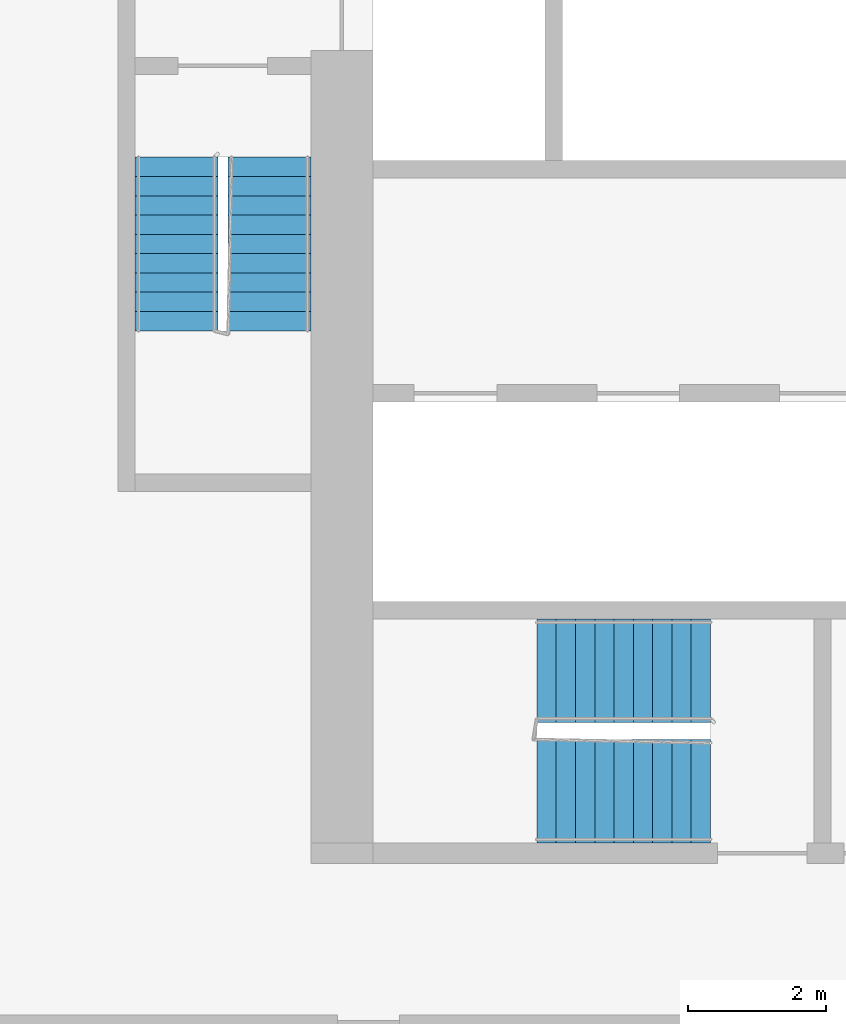
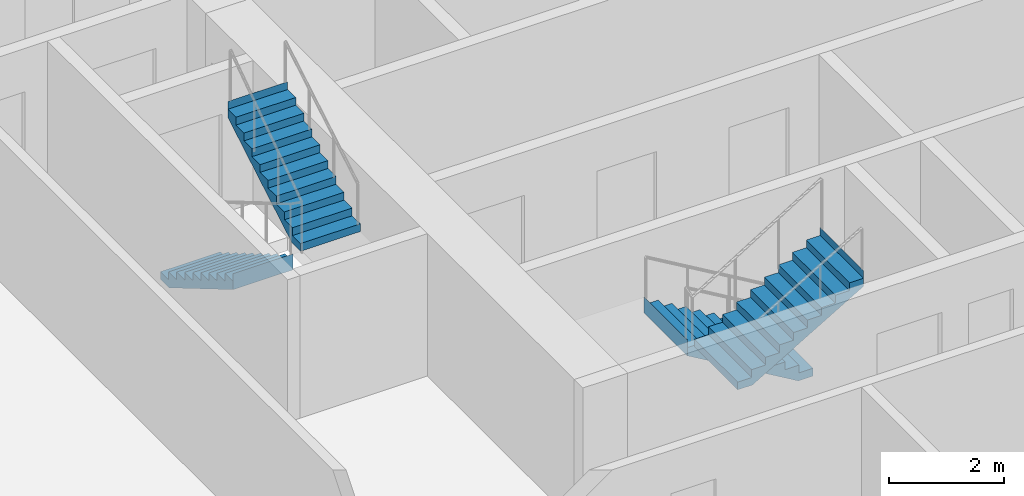
# One storey, part 9 of 13: 4 stair flights, 2 elements without a shape of their own.
"""IFC4 building model written with IfcOpenShell, lengths in metres."""

import ifcopenshell
import ifcopenshell.guid

model = None  # the IFC model being written
_history = None  # IfcOwnerHistory: only IFC2X3 demands one
_inside = {}  # id of a spatial element -> (the spatial element, [elements in it])
_under = {}  # id of a project, library or spatial element -> (it, [spatial elements below it])
_declared = {}  # id of a project -> (the project, [libraries it declares])
_typed = {}  # id of a type object -> (the type object, [elements of that type])
_made_of = {}  # id of a material, layer set ... -> (it, [elements and type objects made of it])


def new_model(schema):
    """Start an empty IFC model of exactly this schema.

    Asked for "IFC4X3", IfcOpenShell would pick the latest addendum, in which some entities
    have other attributes; the version numbers below select the first issue.
    IFC2X3 requires an IfcOwnerHistory on every rooted entity: one is made here for all.
    """
    global model, _history
    if schema == "IFC4X3":
        model = ifcopenshell.file(schema_version=(4, 3, 0, 0))
    else:
        model = ifcopenshell.file(schema=schema)
    _inside.clear()
    _under.clear()
    _declared.clear()
    _typed.clear()
    _made_of.clear()
    _history = None
    if model.schema == "IFC2X3":
        org = make("IfcOrganization", Name="unknown")
        user = make(
            "IfcPersonAndOrganization",
            ThePerson=make("IfcPerson", FamilyName="unknown"),
            TheOrganization=org,
        )
        app = make(
            "IfcApplication",
            ApplicationDeveloper=org,
            Version="unknown",
            ApplicationFullName="unknown",
            ApplicationIdentifier="unknown",
        )
        _history = make(
            "IfcOwnerHistory",
            OwningUser=user,
            OwningApplication=app,
            ChangeAction="ADDED",
            CreationDate=0,
        )
    return model


def make(cls, **values):
    """One entity of the class cls with the attributes given. An attribute that is None is left unset."""
    return model.create_entity(
        cls, **{name: value for name, value in values.items() if value is not None}
    )


def rooted(cls, **values):
    """An entity with a GlobalId (a new one), such as an element, a storey or a relation."""
    return make(cls, GlobalId=ifcopenshell.guid.new(), OwnerHistory=_history, **values)


def si_unit(unit_type, name, prefix=None):
    """IfcSIUnit, for example si_unit("LENGTHUNIT", "METRE", prefix="MILLI")."""
    return make("IfcSIUnit", UnitType=unit_type, Prefix=prefix, Name=name)


def assignment(units):
    """IfcUnitAssignment: the units of a project."""
    return None if units is None else make("IfcUnitAssignment", Units=units)


def point(xyz):
    """IfcCartesianPoint."""
    return None if xyz is None else make("IfcCartesianPoint", Coordinates=xyz)


def direction(xyz):
    """IfcDirection."""
    return None if xyz is None else make("IfcDirection", DirectionRatios=xyz)


def frame(location, z_axis=None, x_axis=None):
    """IfcAxis2Placement3D, a coordinate frame: its origin and axes. An axis left out is left unset."""
    return make(
        "IfcAxis2Placement3D",
        Location=point(location),
        Axis=direction(z_axis),
        RefDirection=direction(x_axis),
    )


def origin():
    """The frame at (0, 0, 0) with its axes left unset."""
    return frame((0.0, 0.0, 0.0))


def place(relative_to, where):
    """IfcLocalPlacement: puts the frame where relative to a parent placement (None: the world)."""
    return make(
        "IfcLocalPlacement", PlacementRelTo=relative_to, RelativePlacement=where
    )


def context(
    kind, dimensions, precision=None, world=None, true_north=None, identifier=None
):
    """IfcGeometricRepresentationContext, for example the 3D "Model" context."""
    return make(
        "IfcGeometricRepresentationContext",
        ContextIdentifier=identifier,
        ContextType=kind,
        CoordinateSpaceDimension=dimensions,
        Precision=precision,
        WorldCoordinateSystem=world,
        TrueNorth=true_north,
    )


def subcontext(parent, identifier, kind, view, scale=None):
    """IfcGeometricRepresentationSubContext, for example "Body" below "Model"."""
    return make(
        "IfcGeometricRepresentationSubContext",
        ContextIdentifier=identifier,
        ContextType=kind,
        ParentContext=parent,
        TargetScale=scale,
        TargetView=view,
    )


def project(units=None, contexts=None):
    """IfcProject with its units and contexts."""
    return rooted(
        "IfcProject",
        Name="project",
        RepresentationContexts=contexts,
        UnitsInContext=assignment(units),
    )


def spatial(cls, under=None, at=None, **own):
    """A site, building, storey or space (cls), placed at a placement, below another one or the project."""
    s = rooted(cls, ObjectPlacement=at, **own)
    if under is not None:
        _under.setdefault(under.id(), (under, []))[1].append(s)
    return s


def faces_of(points, faces, orient=None, outer=None):
    """IfcFace entities. A face is a list of loops; a loop is a list of indices into points, from 0.

    orient and outer hold one flag for each loop. By default every Orientation is true, the
    first loop of a face is its IfcFaceOuterBound and the others are IfcFaceBound.
    """
    made = []
    for i, loops in enumerate(faces):
        bounds = []
        for j, loop in enumerate(loops):
            is_outer = j == 0 if outer is None else outer[i][j]
            bounds.append(
                make(
                    "IfcFaceOuterBound" if is_outer else "IfcFaceBound",
                    Bound=make("IfcPolyLoop", Polygon=[points[k] for k in loop]),
                    Orientation=True if orient is None else orient[i][j],
                )
            )
        made.append(make("IfcFace", Bounds=bounds))
    return made


def faceted_brep(points, faces, orient=None, outer=None, voids=None):
    """IfcFacetedBrep: a solid bounded by flat faces; with voids (closed shells), ...WithVoids."""
    shared = [point(p) for p in points]
    hull = make("IfcClosedShell", CfsFaces=faces_of(shared, faces, orient, outer))
    if voids is None:
        return make("IfcFacetedBrep", Outer=hull)
    return make(
        "IfcFacetedBrepWithVoids",
        Outer=hull,
        Voids=[
            make(cls, CfsFaces=faces_of(shared, fs, o, b)) for cls, fs, o, b in voids
        ],
    )


def shape(context_of_items, identifier, shape_type, items):
    """IfcShapeRepresentation: the items that make up one representation, for example the "Body"."""
    return make(
        "IfcShapeRepresentation",
        ContextOfItems=context_of_items,
        RepresentationIdentifier=identifier,
        RepresentationType=shape_type,
        Items=items,
    )


def material(Name=None, Category=None):
    """IfcMaterial."""
    return make("IfcMaterial", Name=Name, Category=Category)


def made_of(thing, what):
    """Note that an element or type object is made of a material, layer set ...; save() writes the relation."""
    if what is not None:
        _made_of.setdefault(what.id(), (what, []))[1].append(thing)
    return thing


def type_object(cls, material=None, **own):
    """A type object (cls), such as IfcWallType, which elements share."""
    return made_of(rooted(cls, **own), material)


def element(
    cls,
    number,
    at=None,
    inside=None,
    cuts=None,
    type_object=None,
    material=None,
    context=None,
    identifier="Body",
    shape_type=None,
    held_by="IfcProductDefinitionShape",
    body=None,
    shapes=None,
    **own,
):
    """One element of the class cls, such as IfcWall. Its Tag is "e" and its number.

    at: its placement. inside: the storey or other place that contains it. cuts: it is an
    opening in that element (IfcRelVoidsElement). A single representation is given by context,
    identifier, shape_type and body (its items); several are given by shapes. held_by: the class
    of the entity that holds the representations. save() writes the other relations.
    """
    e = rooted(cls, Tag="e%d" % number, ObjectPlacement=at, **own)
    if body is not None:
        shapes = [shape(context, identifier, shape_type, body)]
    if shapes is not None:
        e.Representation = make(held_by, Representations=shapes)
    if inside is not None:
        _inside.setdefault(inside.id(), (inside, []))[1].append(e)
    if cuts is not None:
        rooted(
            "IfcRelVoidsElement", RelatingBuildingElement=cuts, RelatedOpeningElement=e
        )
    if type_object is not None:
        _typed.setdefault(type_object.id(), (type_object, []))[1].append(e)
    return made_of(e, material)


def aggregate(whole, parts):
    """IfcRelAggregates: a whole, such as a stair, and the parts it consists of."""
    return rooted("IfcRelAggregates", RelatingObject=whole, RelatedObjects=parts)


def save(model, path):
    """Write the relations noted so far, then the file.

    IfcRelAggregates (storeys below a building ...), IfcRelContainedInSpatialStructure (elements
    in a storey), IfcRelDefinesByType, IfcRelAssociatesMaterial and IfcRelDeclares: one each for
    every whole, place, type object, material and project.
    """
    for whole, parts in _under.values():
        aggregate(whole, parts)
    for where, things in _inside.values():
        rooted(
            "IfcRelContainedInSpatialStructure",
            RelatedElements=things,
            RelatingStructure=where,
        )
    for kind, things in _typed.values():
        rooted("IfcRelDefinesByType", RelatedObjects=things, RelatingType=kind)
    for what, things in _made_of.values():
        rooted("IfcRelAssociatesMaterial", RelatedObjects=things, RelatingMaterial=what)
    for by, libraries in _declared.values():
        rooted("IfcRelDeclares", RelatingContext=by, RelatedDefinitions=libraries)
    model.write(path)


model = new_model("IFC4")

# Units and contexts
model_context = context("Model", 3, precision=1e-05, world=origin(), true_north=direction((0.0, 1.0)))
body_context = subcontext(model_context, "Body", "Model", "MODEL_VIEW")
ifc_project = project(units=[si_unit("LENGTHUNIT", "METRE"), si_unit("AREAUNIT", "SQUARE_METRE"), si_unit("VOLUMEUNIT", "CUBIC_METRE"), si_unit("PLANEANGLEUNIT", "RADIAN"), si_unit("MASSUNIT", "GRAM", prefix="KILO")], contexts=[model_context])

# Site, building, storey
site_placement = place(None, origin())
site = spatial("IfcSite", under=ifc_project, at=site_placement, CompositionType="ELEMENT")
building_placement = place(site_placement, origin())
building = spatial("IfcBuilding", under=site, at=building_placement, Name="Kajstack Hotel Tower", CompositionType="ELEMENT")
storey_placement = place(building_placement, frame((0.0, 0.0, 89.699951171875)))
storey = spatial("IfcBuildingStorey", under=building, at=storey_placement, Name="L18", CompositionType="ELEMENT", Elevation=89.699951171875)

# Stair, stair flights
ifc_material = material(Name="Concrete C40/50", Category="concrete")
stair_type_1 = type_object("IfcStairType", Name="Exit stair 1200", PredefinedType="HALF_TURN_STAIR", material=ifc_material)
stair_1_placement = place(storey_placement, origin())
stair_1 = element("IfcStair", 1, at=stair_1_placement, inside=storey, type_object=stair_type_1, Name="L18 stair W1", PredefinedType="HALF_TURN_STAIR")
stair_flight_type_1 = type_object("IfcStairFlightType", Name="Exit stair flight 1200", PredefinedType="STRAIGHT", material=ifc_material)
stair_flight_1_placement = place(storey_placement, frame((-33.449951171875, -5.25, 0.0), z_axis=(0.0, 0.0, 1.0), x_axis=(0.0, -1.0, 0.0)))
stair_flight_1 = element("IfcStairFlight", 2, at=stair_flight_1_placement, type_object=stair_flight_type_1, Name="W1 flight 1", NumberOfRisers=10, NumberOfTreads=9, PredefinedType="STRAIGHT", RiserHeight=0.165, TreadLength=0.28, context=body_context, shape_type="Brep", body=[
    faceted_brep([(0.295654296875, -0.60009765625, 0.0), (2.5205078125, -0.60009765625, 1.31103515625), (2.5205078125, -0.60009765625, 1.64990234375), (2.52001953125, -0.60009765625, 1.64990234375), (2.52001953125, -0.60009765625, 1.485107421875), (2.239990234375, -0.60009765625, 1.485107421875), (2.239990234375, -0.60009765625, 1.320068359375), (1.9599609375, -0.60009765625, 1.320068359375), (1.9599609375, -0.60009765625, 1.155029296875), (1.679931640625, -0.60009765625, 1.155029296875), (1.679931640625, -0.60009765625, 0.989990234375), (1.39990234375, -0.60009765625, 0.989990234375), (1.39990234375, -0.60009765625, 0.824951171875), (1.1201171875, -0.60009765625, 0.824951171875), (1.1201171875, -0.60009765625, 0.659912109375), (0.840087890625, -0.60009765625, 0.659912109375), (0.840087890625, -0.60009765625, 0.4951171875), (0.56005859375, -0.60009765625, 0.4951171875), (0.56005859375, -0.60009765625, 0.330078125), (0.280029296875, -0.60009765625, 0.330078125), (0.280029296875, -0.60009765625, 0.1650390625), (-0.00048828125, -0.60009765625, 0.1650390625), (-0.00048828125, -0.60009765625, 0.0), (-0.00048828125, 0.60009765625, 0.0), (-0.00048828125, 0.60009765625, 0.1650390625), (0.280029296875, 0.60009765625, 0.1650390625), (0.280029296875, 0.60009765625, 0.330078125), (0.56005859375, 0.60009765625, 0.330078125), (0.56005859375, 0.60009765625, 0.4951171875), (0.840087890625, 0.60009765625, 0.4951171875), (0.840087890625, 0.60009765625, 0.659912109375), (1.1201171875, 0.60009765625, 0.659912109375), (1.1201171875, 0.60009765625, 0.824951171875), (1.39990234375, 0.60009765625, 0.824951171875), (1.39990234375, 0.60009765625, 0.989990234375), (1.679931640625, 0.60009765625, 0.989990234375), (1.679931640625, 0.60009765625, 1.155029296875), (1.9599609375, 0.60009765625, 1.155029296875), (1.9599609375, 0.60009765625, 1.320068359375), (2.239990234375, 0.60009765625, 1.320068359375), (2.239990234375, 0.60009765625, 1.485107421875), (2.52001953125, 0.60009765625, 1.485107421875), (2.52001953125, 0.60009765625, 1.64990234375), (2.5205078125, 0.60009765625, 1.64990234375), (2.5205078125, 0.60009765625, 1.31103515625), (0.295654296875, 0.60009765625, 0.0), (-0.00048828125, -0.300048828125, 0.1650390625), (-0.00048828125, 0.0, 0.1650390625), (-0.00048828125, 0.300048828125, 0.1650390625), (-0.00048828125, 0.300048828125, 0.0), (-0.00048828125, 0.0, 0.0), (-0.00048828125, -0.300048828125, 0.0), (0.280029296875, -0.300048828125, 0.1650390625), (0.280029296875, 0.0, 0.1650390625), (0.280029296875, 0.300048828125, 0.1650390625), (0.280029296875, -0.300048828125, 0.330078125), (0.280029296875, 0.0, 0.330078125), (0.280029296875, 0.300048828125, 0.330078125), (0.56005859375, -0.300048828125, 0.330078125), (0.56005859375, 0.0, 0.330078125), (0.56005859375, 0.300048828125, 0.330078125), (0.56005859375, -0.300048828125, 0.4951171875), (0.56005859375, 0.0, 0.4951171875), (0.56005859375, 0.300048828125, 0.4951171875), (0.840087890625, -0.300048828125, 0.4951171875), (0.840087890625, 0.0, 0.4951171875), (0.840087890625, 0.300048828125, 0.4951171875), (0.840087890625, -0.300048828125, 0.659912109375), (0.840087890625, 0.0, 0.659912109375), (0.840087890625, 0.300048828125, 0.659912109375), (1.1201171875, -0.300048828125, 0.659912109375), (1.1201171875, 0.0, 0.659912109375), (1.1201171875, 0.300048828125, 0.659912109375), (1.1201171875, -0.300048828125, 0.824951171875), (1.1201171875, 0.0, 0.824951171875), (1.1201171875, 0.300048828125, 0.824951171875), (1.39990234375, -0.300048828125, 0.824951171875), (1.39990234375, 0.0, 0.824951171875), (1.39990234375, 0.300048828125, 0.824951171875), (1.39990234375, -0.300048828125, 0.989990234375), (1.39990234375, 0.0, 0.989990234375), (1.39990234375, 0.300048828125, 0.989990234375), (1.679931640625, -0.300048828125, 0.989990234375), (1.679931640625, 0.0, 0.989990234375), (1.679931640625, 0.300048828125, 0.989990234375), (1.679931640625, -0.300048828125, 1.155029296875), (1.679931640625, 0.0, 1.155029296875), (1.679931640625, 0.300048828125, 1.155029296875), (1.9599609375, -0.300048828125, 1.155029296875), (1.9599609375, 0.0, 1.155029296875), (1.9599609375, 0.300048828125, 1.155029296875), (1.9599609375, -0.300048828125, 1.320068359375), (1.9599609375, 0.0, 1.320068359375), (1.9599609375, 0.300048828125, 1.320068359375), (2.239990234375, -0.300048828125, 1.320068359375), (2.239990234375, 0.0, 1.320068359375), (2.239990234375, 0.300048828125, 1.320068359375), (2.239990234375, -0.300048828125, 1.485107421875), (2.239990234375, 0.0, 1.485107421875), (2.239990234375, 0.300048828125, 1.485107421875), (2.52001953125, -0.300048828125, 1.485107421875), (2.52001953125, 0.0, 1.485107421875), (2.52001953125, 0.300048828125, 1.485107421875), (2.52001953125, -0.300048828125, 1.64990234375), (2.52001953125, 0.0, 1.64990234375), (2.52001953125, 0.300048828125, 1.64990234375), (2.5205078125, -0.300048828125, 1.64990234375), (2.5205078125, 0.0, 1.64990234375), (2.5205078125, 0.300048828125, 1.64990234375), (2.5205078125, -0.300048828125, 1.31103515625), (2.5205078125, 0.0, 1.31103515625), (2.5205078125, 0.300048828125, 1.31103515625), (0.295654296875, -0.300048828125, 0.0), (0.295654296875, 0.0, 0.0), (0.295654296875, 0.300048828125, 0.0)], [[[0, 1, 2, 3, 4, 5, 6, 7, 8, 9, 10, 11, 12, 13, 14, 15, 16, 17, 18, 19, 20, 21, 22]], [[23, 24, 25, 26, 27, 28, 29, 30, 31, 32, 33, 34, 35, 36, 37, 38, 39, 40, 41, 42, 43, 44, 45]], [[21, 46, 47, 48, 24, 23, 49, 50, 51, 22]], [[20, 52, 53, 54, 25, 24, 48, 47, 46, 21]], [[19, 55, 56, 57, 26, 25, 54, 53, 52, 20]], [[18, 58, 59, 60, 27, 26, 57, 56, 55, 19]], [[17, 61, 62, 63, 28, 27, 60, 59, 58, 18]], [[16, 64, 65, 66, 29, 28, 63, 62, 61, 17]], [[15, 67, 68, 69, 30, 29, 66, 65, 64, 16]], [[14, 70, 71, 72, 31, 30, 69, 68, 67, 15]], [[13, 73, 74, 75, 32, 31, 72, 71, 70, 14]], [[12, 76, 77, 78, 33, 32, 75, 74, 73, 13]], [[11, 79, 80, 81, 34, 33, 78, 77, 76, 12]], [[10, 82, 83, 84, 35, 34, 81, 80, 79, 11]], [[9, 85, 86, 87, 36, 35, 84, 83, 82, 10]], [[8, 88, 89, 90, 37, 36, 87, 86, 85, 9]], [[7, 91, 92, 93, 38, 37, 90, 89, 88, 8]], [[6, 94, 95, 96, 39, 38, 93, 92, 91, 7]], [[5, 97, 98, 99, 40, 39, 96, 95, 94, 6]], [[4, 100, 101, 102, 41, 40, 99, 98, 97, 5]], [[3, 103, 104, 105, 42, 41, 102, 101, 100, 4]], [[2, 106, 107, 108, 43, 42, 105, 104, 103, 3]], [[1, 109, 110, 111, 44, 43, 108, 107, 106, 2]], [[0, 112, 113, 114, 45, 44, 111, 110, 109, 1]], [[22, 51, 50, 49, 23, 45, 114, 113, 112, 0]]]),
])
stair_flight_2_placement = place(storey_placement, frame((-32.10009765625, -7.77001953125, 1.650146484375), z_axis=(0.0, 0.0, 1.0), x_axis=(0.0, 1.0, 0.0)))
stair_flight_2 = element("IfcStairFlight", 3, at=stair_flight_2_placement, type_object=stair_flight_type_1, Name="W1 flight 2", NumberOfRisers=10, NumberOfTreads=9, PredefinedType="STRAIGHT", RiserHeight=0.165, TreadLength=0.28, context=body_context, shape_type="Brep", body=[
    faceted_brep([(0.295654296875, -0.60009765625, 0.0), (2.5205078125, -0.60009765625, 1.31103515625), (2.5205078125, -0.60009765625, 1.64990234375), (2.52001953125, -0.60009765625, 1.64990234375), (2.52001953125, -0.60009765625, 1.485107421875), (2.239990234375, -0.60009765625, 1.485107421875), (2.239990234375, -0.60009765625, 1.320068359375), (1.9599609375, -0.60009765625, 1.320068359375), (1.9599609375, -0.60009765625, 1.155029296875), (1.679931640625, -0.60009765625, 1.155029296875), (1.679931640625, -0.60009765625, 0.989990234375), (1.39990234375, -0.60009765625, 0.989990234375), (1.39990234375, -0.60009765625, 0.824951171875), (1.1201171875, -0.60009765625, 0.824951171875), (1.1201171875, -0.60009765625, 0.659912109375), (0.840087890625, -0.60009765625, 0.659912109375), (0.840087890625, -0.60009765625, 0.4951171875), (0.56005859375, -0.60009765625, 0.4951171875), (0.56005859375, -0.60009765625, 0.330078125), (0.280029296875, -0.60009765625, 0.330078125), (0.280029296875, -0.60009765625, 0.1650390625), (-0.00048828125, -0.60009765625, 0.1650390625), (-0.00048828125, -0.60009765625, 0.0), (-0.00048828125, 0.60009765625, 0.0), (-0.00048828125, 0.60009765625, 0.1650390625), (0.280029296875, 0.60009765625, 0.1650390625), (0.280029296875, 0.60009765625, 0.330078125), (0.56005859375, 0.60009765625, 0.330078125), (0.56005859375, 0.60009765625, 0.4951171875), (0.840087890625, 0.60009765625, 0.4951171875), (0.840087890625, 0.60009765625, 0.659912109375), (1.1201171875, 0.60009765625, 0.659912109375), (1.1201171875, 0.60009765625, 0.824951171875), (1.39990234375, 0.60009765625, 0.824951171875), (1.39990234375, 0.60009765625, 0.989990234375), (1.679931640625, 0.60009765625, 0.989990234375), (1.679931640625, 0.60009765625, 1.155029296875), (1.9599609375, 0.60009765625, 1.155029296875), (1.9599609375, 0.60009765625, 1.320068359375), (2.239990234375, 0.60009765625, 1.320068359375), (2.239990234375, 0.60009765625, 1.485107421875), (2.52001953125, 0.60009765625, 1.485107421875), (2.52001953125, 0.60009765625, 1.64990234375), (2.5205078125, 0.60009765625, 1.64990234375), (2.5205078125, 0.60009765625, 1.31103515625), (0.295654296875, 0.60009765625, 0.0), (-0.00048828125, -0.300048828125, 0.1650390625), (-0.00048828125, 0.0, 0.1650390625), (-0.00048828125, 0.300048828125, 0.1650390625), (-0.00048828125, 0.300048828125, 0.0), (-0.00048828125, 0.0, 0.0), (-0.00048828125, -0.300048828125, 0.0), (0.280029296875, -0.300048828125, 0.1650390625), (0.280029296875, 0.0, 0.1650390625), (0.280029296875, 0.300048828125, 0.1650390625), (0.280029296875, -0.300048828125, 0.330078125), (0.280029296875, 0.0, 0.330078125), (0.280029296875, 0.300048828125, 0.330078125), (0.56005859375, -0.300048828125, 0.330078125), (0.56005859375, 0.0, 0.330078125), (0.56005859375, 0.300048828125, 0.330078125), (0.56005859375, -0.300048828125, 0.4951171875), (0.56005859375, 0.0, 0.4951171875), (0.56005859375, 0.300048828125, 0.4951171875), (0.840087890625, -0.300048828125, 0.4951171875), (0.840087890625, 0.0, 0.4951171875), (0.840087890625, 0.300048828125, 0.4951171875), (0.840087890625, -0.300048828125, 0.659912109375), (0.840087890625, 0.0, 0.659912109375), (0.840087890625, 0.300048828125, 0.659912109375), (1.1201171875, -0.300048828125, 0.659912109375), (1.1201171875, 0.0, 0.659912109375), (1.1201171875, 0.300048828125, 0.659912109375), (1.1201171875, -0.300048828125, 0.824951171875), (1.1201171875, 0.0, 0.824951171875), (1.1201171875, 0.300048828125, 0.824951171875), (1.39990234375, -0.300048828125, 0.824951171875), (1.39990234375, 0.0, 0.824951171875), (1.39990234375, 0.300048828125, 0.824951171875), (1.39990234375, -0.300048828125, 0.989990234375), (1.39990234375, 0.0, 0.989990234375), (1.39990234375, 0.300048828125, 0.989990234375), (1.679931640625, -0.300048828125, 0.989990234375), (1.679931640625, 0.0, 0.989990234375), (1.679931640625, 0.300048828125, 0.989990234375), (1.679931640625, -0.300048828125, 1.155029296875), (1.679931640625, 0.0, 1.155029296875), (1.679931640625, 0.300048828125, 1.155029296875), (1.9599609375, -0.300048828125, 1.155029296875), (1.9599609375, 0.0, 1.155029296875), (1.9599609375, 0.300048828125, 1.155029296875), (1.9599609375, -0.300048828125, 1.320068359375), (1.9599609375, 0.0, 1.320068359375), (1.9599609375, 0.300048828125, 1.320068359375), (2.239990234375, -0.300048828125, 1.320068359375), (2.239990234375, 0.0, 1.320068359375), (2.239990234375, 0.300048828125, 1.320068359375), (2.239990234375, -0.300048828125, 1.485107421875), (2.239990234375, 0.0, 1.485107421875), (2.239990234375, 0.300048828125, 1.485107421875), (2.52001953125, -0.300048828125, 1.485107421875), (2.52001953125, 0.0, 1.485107421875), (2.52001953125, 0.300048828125, 1.485107421875), (2.52001953125, -0.300048828125, 1.64990234375), (2.52001953125, 0.0, 1.64990234375), (2.52001953125, 0.300048828125, 1.64990234375), (2.5205078125, -0.300048828125, 1.64990234375), (2.5205078125, 0.0, 1.64990234375), (2.5205078125, 0.300048828125, 1.64990234375), (2.5205078125, -0.300048828125, 1.31103515625), (2.5205078125, 0.0, 1.31103515625), (2.5205078125, 0.300048828125, 1.31103515625), (0.295654296875, -0.300048828125, 0.0), (0.295654296875, 0.0, 0.0), (0.295654296875, 0.300048828125, 0.0)], [[[0, 1, 2, 3, 4, 5, 6, 7, 8, 9, 10, 11, 12, 13, 14, 15, 16, 17, 18, 19, 20, 21, 22]], [[23, 24, 25, 26, 27, 28, 29, 30, 31, 32, 33, 34, 35, 36, 37, 38, 39, 40, 41, 42, 43, 44, 45]], [[21, 46, 47, 48, 24, 23, 49, 50, 51, 22]], [[20, 52, 53, 54, 25, 24, 48, 47, 46, 21]], [[19, 55, 56, 57, 26, 25, 54, 53, 52, 20]], [[18, 58, 59, 60, 27, 26, 57, 56, 55, 19]], [[17, 61, 62, 63, 28, 27, 60, 59, 58, 18]], [[16, 64, 65, 66, 29, 28, 63, 62, 61, 17]], [[15, 67, 68, 69, 30, 29, 66, 65, 64, 16]], [[14, 70, 71, 72, 31, 30, 69, 68, 67, 15]], [[13, 73, 74, 75, 32, 31, 72, 71, 70, 14]], [[12, 76, 77, 78, 33, 32, 75, 74, 73, 13]], [[11, 79, 80, 81, 34, 33, 78, 77, 76, 12]], [[10, 82, 83, 84, 35, 34, 81, 80, 79, 11]], [[9, 85, 86, 87, 36, 35, 84, 83, 82, 10]], [[8, 88, 89, 90, 37, 36, 87, 86, 85, 9]], [[7, 91, 92, 93, 38, 37, 90, 89, 88, 8]], [[6, 94, 95, 96, 39, 38, 93, 92, 91, 7]], [[5, 97, 98, 99, 40, 39, 96, 95, 94, 6]], [[4, 100, 101, 102, 41, 40, 99, 98, 97, 5]], [[3, 103, 104, 105, 42, 41, 102, 101, 100, 4]], [[2, 106, 107, 108, 43, 42, 105, 104, 103, 3]], [[1, 109, 110, 111, 44, 43, 108, 107, 106, 2]], [[0, 112, 113, 114, 45, 44, 111, 110, 109, 1]], [[22, 51, 50, 49, 23, 45, 114, 113, 112, 0]]]),
])
aggregate(stair_1, [stair_flight_1, stair_flight_2])

stair_type_2 = type_object("IfcStairType", Name="Exit stair 1500", PredefinedType="HALF_TURN_STAIR", material=ifc_material)
stair_2_placement = place(storey_placement, origin())
stair_2 = element("IfcStair", 4, at=stair_2_placement, inside=storey, type_object=stair_type_2, Name="L18 stair W3", PredefinedType="HALF_TURN_STAIR")
stair_flight_type_2 = type_object("IfcStairFlightType", Name="Exit stair flight 1500", PredefinedType="STRAIGHT", material=ifc_material)
stair_flight_3_placement = place(storey_placement, frame((-25.699951171875, -12.699951171875, 0.0), z_axis=(0.0, 0.0, 1.0), x_axis=(-1.0, 0.0, 0.0)))
stair_flight_3 = element("IfcStairFlight", 5, at=stair_flight_3_placement, type_object=stair_flight_type_2, Name="W3 flight 1", NumberOfRisers=10, NumberOfTreads=9, PredefinedType="STRAIGHT", RiserHeight=0.165, TreadLength=0.28, context=body_context, shape_type="Brep", body=[
    faceted_brep([(0.295654296875, -0.75, 0.0), (2.5205078125, -0.75, 1.31103515625), (2.5205078125, -0.75, 1.64990234375), (2.52001953125, -0.75, 1.64990234375), (2.52001953125, -0.75, 1.485107421875), (2.239990234375, -0.75, 1.485107421875), (2.239990234375, -0.75, 1.320068359375), (1.9599609375, -0.75, 1.320068359375), (1.9599609375, -0.75, 1.155029296875), (1.679931640625, -0.75, 1.155029296875), (1.679931640625, -0.75, 0.989990234375), (1.39990234375, -0.75, 0.989990234375), (1.39990234375, -0.75, 0.824951171875), (1.1201171875, -0.75, 0.824951171875), (1.1201171875, -0.75, 0.659912109375), (0.840087890625, -0.75, 0.659912109375), (0.840087890625, -0.75, 0.4951171875), (0.56005859375, -0.75, 0.4951171875), (0.56005859375, -0.75, 0.330078125), (0.280029296875, -0.75, 0.330078125), (0.280029296875, -0.75, 0.1650390625), (-0.00048828125, -0.75, 0.1650390625), (-0.00048828125, -0.75, 0.0), (-0.00048828125, 0.75, 0.0), (-0.00048828125, 0.75, 0.1650390625), (0.280029296875, 0.75, 0.1650390625), (0.280029296875, 0.75, 0.330078125), (0.56005859375, 0.75, 0.330078125), (0.56005859375, 0.75, 0.4951171875), (0.840087890625, 0.75, 0.4951171875), (0.840087890625, 0.75, 0.659912109375), (1.1201171875, 0.75, 0.659912109375), (1.1201171875, 0.75, 0.824951171875), (1.39990234375, 0.75, 0.824951171875), (1.39990234375, 0.75, 0.989990234375), (1.679931640625, 0.75, 0.989990234375), (1.679931640625, 0.75, 1.155029296875), (1.9599609375, 0.75, 1.155029296875), (1.9599609375, 0.75, 1.320068359375), (2.239990234375, 0.75, 1.320068359375), (2.239990234375, 0.75, 1.485107421875), (2.52001953125, 0.75, 1.485107421875), (2.52001953125, 0.75, 1.64990234375), (2.5205078125, 0.75, 1.64990234375), (2.5205078125, 0.75, 1.31103515625), (0.295654296875, 0.75, 0.0), (-0.00048828125, -0.375, 0.1650390625), (-0.00048828125, 0.0, 0.1650390625), (-0.00048828125, 0.375, 0.1650390625), (-0.00048828125, 0.375, 0.0), (-0.00048828125, 0.0, 0.0), (-0.00048828125, -0.375, 0.0), (0.280029296875, -0.375, 0.1650390625), (0.280029296875, 0.0, 0.1650390625), (0.280029296875, 0.375, 0.1650390625), (0.280029296875, -0.375, 0.330078125), (0.280029296875, 0.0, 0.330078125), (0.280029296875, 0.375, 0.330078125), (0.56005859375, -0.375, 0.330078125), (0.56005859375, 0.0, 0.330078125), (0.56005859375, 0.375, 0.330078125), (0.56005859375, -0.375, 0.4951171875), (0.56005859375, 0.0, 0.4951171875), (0.56005859375, 0.375, 0.4951171875), (0.840087890625, -0.375, 0.4951171875), (0.840087890625, 0.0, 0.4951171875), (0.840087890625, 0.375, 0.4951171875), (0.840087890625, -0.375, 0.659912109375), (0.840087890625, 0.0, 0.659912109375), (0.840087890625, 0.375, 0.659912109375), (1.1201171875, -0.375, 0.659912109375), (1.1201171875, 0.0, 0.659912109375), (1.1201171875, 0.375, 0.659912109375), (1.1201171875, -0.375, 0.824951171875), (1.1201171875, 0.0, 0.824951171875), (1.1201171875, 0.375, 0.824951171875), (1.39990234375, -0.375, 0.824951171875), (1.39990234375, 0.0, 0.824951171875), (1.39990234375, 0.375, 0.824951171875), (1.39990234375, -0.375, 0.989990234375), (1.39990234375, 0.0, 0.989990234375), (1.39990234375, 0.375, 0.989990234375), (1.679931640625, -0.375, 0.989990234375), (1.679931640625, 0.0, 0.989990234375), (1.679931640625, 0.375, 0.989990234375), (1.679931640625, -0.375, 1.155029296875), (1.679931640625, 0.0, 1.155029296875), (1.679931640625, 0.375, 1.155029296875), (1.9599609375, -0.375, 1.155029296875), (1.9599609375, 0.0, 1.155029296875), (1.9599609375, 0.375, 1.155029296875), (1.9599609375, -0.375, 1.320068359375), (1.9599609375, 0.0, 1.320068359375), (1.9599609375, 0.375, 1.320068359375), (2.239990234375, -0.375, 1.320068359375), (2.239990234375, 0.0, 1.320068359375), (2.239990234375, 0.375, 1.320068359375), (2.239990234375, -0.375, 1.485107421875), (2.239990234375, 0.0, 1.485107421875), (2.239990234375, 0.375, 1.485107421875), (2.52001953125, -0.375, 1.485107421875), (2.52001953125, 0.0, 1.485107421875), (2.52001953125, 0.375, 1.485107421875), (2.52001953125, -0.375, 1.64990234375), (2.52001953125, 0.0, 1.64990234375), (2.52001953125, 0.375, 1.64990234375), (2.5205078125, -0.375, 1.64990234375), (2.5205078125, 0.0, 1.64990234375), (2.5205078125, 0.375, 1.64990234375), (2.5205078125, -0.375, 1.31103515625), (2.5205078125, 0.0, 1.31103515625), (2.5205078125, 0.375, 1.31103515625), (0.295654296875, -0.375, 0.0), (0.295654296875, 0.0, 0.0), (0.295654296875, 0.375, 0.0)], [[[0, 1, 2, 3, 4, 5, 6, 7, 8, 9, 10, 11, 12, 13, 14, 15, 16, 17, 18, 19, 20, 21, 22]], [[23, 24, 25, 26, 27, 28, 29, 30, 31, 32, 33, 34, 35, 36, 37, 38, 39, 40, 41, 42, 43, 44, 45]], [[21, 46, 47, 48, 24, 23, 49, 50, 51, 22]], [[20, 52, 53, 54, 25, 24, 48, 47, 46, 21]], [[19, 55, 56, 57, 26, 25, 54, 53, 52, 20]], [[18, 58, 59, 60, 27, 26, 57, 56, 55, 19]], [[17, 61, 62, 63, 28, 27, 60, 59, 58, 18]], [[16, 64, 65, 66, 29, 28, 63, 62, 61, 17]], [[15, 67, 68, 69, 30, 29, 66, 65, 64, 16]], [[14, 70, 71, 72, 31, 30, 69, 68, 67, 15]], [[13, 73, 74, 75, 32, 31, 72, 71, 70, 14]], [[12, 76, 77, 78, 33, 32, 75, 74, 73, 13]], [[11, 79, 80, 81, 34, 33, 78, 77, 76, 12]], [[10, 82, 83, 84, 35, 34, 81, 80, 79, 11]], [[9, 85, 86, 87, 36, 35, 84, 83, 82, 10]], [[8, 88, 89, 90, 37, 36, 87, 86, 85, 9]], [[7, 91, 92, 93, 38, 37, 90, 89, 88, 8]], [[6, 94, 95, 96, 39, 38, 93, 92, 91, 7]], [[5, 97, 98, 99, 40, 39, 96, 95, 94, 6]], [[4, 100, 101, 102, 41, 40, 99, 98, 97, 5]], [[3, 103, 104, 105, 42, 41, 102, 101, 100, 4]], [[2, 106, 107, 108, 43, 42, 105, 104, 103, 3]], [[1, 109, 110, 111, 44, 43, 108, 107, 106, 2]], [[0, 112, 113, 114, 45, 44, 111, 110, 109, 1]], [[22, 51, 50, 49, 23, 45, 114, 113, 112, 0]]]),
])
stair_flight_4_placement = place(storey_placement, frame((-28.219970703125, -14.449951171875, 1.650146484375), z_axis=(0.0, 0.0, 1.0), x_axis=(1.0, 0.0, 0.0)))
stair_flight_4 = element("IfcStairFlight", 6, at=stair_flight_4_placement, type_object=stair_flight_type_2, Name="W3 flight 2", NumberOfRisers=10, NumberOfTreads=9, PredefinedType="STRAIGHT", RiserHeight=0.165, TreadLength=0.28, context=body_context, shape_type="Brep", body=[
    faceted_brep([(0.295654296875, -0.75, 0.0), (2.5205078125, -0.75, 1.31103515625), (2.5205078125, -0.75, 1.64990234375), (2.52001953125, -0.75, 1.64990234375), (2.52001953125, -0.75, 1.485107421875), (2.239990234375, -0.75, 1.485107421875), (2.239990234375, -0.75, 1.320068359375), (1.9599609375, -0.75, 1.320068359375), (1.9599609375, -0.75, 1.155029296875), (1.679931640625, -0.75, 1.155029296875), (1.679931640625, -0.75, 0.989990234375), (1.39990234375, -0.75, 0.989990234375), (1.39990234375, -0.75, 0.824951171875), (1.1201171875, -0.75, 0.824951171875), (1.1201171875, -0.75, 0.659912109375), (0.840087890625, -0.75, 0.659912109375), (0.840087890625, -0.75, 0.4951171875), (0.56005859375, -0.75, 0.4951171875), (0.56005859375, -0.75, 0.330078125), (0.280029296875, -0.75, 0.330078125), (0.280029296875, -0.75, 0.1650390625), (-0.00048828125, -0.75, 0.1650390625), (-0.00048828125, -0.75, 0.0), (-0.00048828125, 0.75, 0.0), (-0.00048828125, 0.75, 0.1650390625), (0.280029296875, 0.75, 0.1650390625), (0.280029296875, 0.75, 0.330078125), (0.56005859375, 0.75, 0.330078125), (0.56005859375, 0.75, 0.4951171875), (0.840087890625, 0.75, 0.4951171875), (0.840087890625, 0.75, 0.659912109375), (1.1201171875, 0.75, 0.659912109375), (1.1201171875, 0.75, 0.824951171875), (1.39990234375, 0.75, 0.824951171875), (1.39990234375, 0.75, 0.989990234375), (1.679931640625, 0.75, 0.989990234375), (1.679931640625, 0.75, 1.155029296875), (1.9599609375, 0.75, 1.155029296875), (1.9599609375, 0.75, 1.320068359375), (2.239990234375, 0.75, 1.320068359375), (2.239990234375, 0.75, 1.485107421875), (2.52001953125, 0.75, 1.485107421875), (2.52001953125, 0.75, 1.64990234375), (2.5205078125, 0.75, 1.64990234375), (2.5205078125, 0.75, 1.31103515625), (0.295654296875, 0.75, 0.0), (-0.00048828125, -0.375, 0.1650390625), (-0.00048828125, 0.0, 0.1650390625), (-0.00048828125, 0.375, 0.1650390625), (-0.00048828125, 0.375, 0.0), (-0.00048828125, 0.0, 0.0), (-0.00048828125, -0.375, 0.0), (0.280029296875, -0.375, 0.1650390625), (0.280029296875, 0.0, 0.1650390625), (0.280029296875, 0.375, 0.1650390625), (0.280029296875, -0.375, 0.330078125), (0.280029296875, 0.0, 0.330078125), (0.280029296875, 0.375, 0.330078125), (0.56005859375, -0.375, 0.330078125), (0.56005859375, 0.0, 0.330078125), (0.56005859375, 0.375, 0.330078125), (0.56005859375, -0.375, 0.4951171875), (0.56005859375, 0.0, 0.4951171875), (0.56005859375, 0.375, 0.4951171875), (0.840087890625, -0.375, 0.4951171875), (0.840087890625, 0.0, 0.4951171875), (0.840087890625, 0.375, 0.4951171875), (0.840087890625, -0.375, 0.659912109375), (0.840087890625, 0.0, 0.659912109375), (0.840087890625, 0.375, 0.659912109375), (1.1201171875, -0.375, 0.659912109375), (1.1201171875, 0.0, 0.659912109375), (1.1201171875, 0.375, 0.659912109375), (1.1201171875, -0.375, 0.824951171875), (1.1201171875, 0.0, 0.824951171875), (1.1201171875, 0.375, 0.824951171875), (1.39990234375, -0.375, 0.824951171875), (1.39990234375, 0.0, 0.824951171875), (1.39990234375, 0.375, 0.824951171875), (1.39990234375, -0.375, 0.989990234375), (1.39990234375, 0.0, 0.989990234375), (1.39990234375, 0.375, 0.989990234375), (1.679931640625, -0.375, 0.989990234375), (1.679931640625, 0.0, 0.989990234375), (1.679931640625, 0.375, 0.989990234375), (1.679931640625, -0.375, 1.155029296875), (1.679931640625, 0.0, 1.155029296875), (1.679931640625, 0.375, 1.155029296875), (1.9599609375, -0.375, 1.155029296875), (1.9599609375, 0.0, 1.155029296875), (1.9599609375, 0.375, 1.155029296875), (1.9599609375, -0.375, 1.320068359375), (1.9599609375, 0.0, 1.320068359375), (1.9599609375, 0.375, 1.320068359375), (2.239990234375, -0.375, 1.320068359375), (2.239990234375, 0.0, 1.320068359375), (2.239990234375, 0.375, 1.320068359375), (2.239990234375, -0.375, 1.485107421875), (2.239990234375, 0.0, 1.485107421875), (2.239990234375, 0.375, 1.485107421875), (2.52001953125, -0.375, 1.485107421875), (2.52001953125, 0.0, 1.485107421875), (2.52001953125, 0.375, 1.485107421875), (2.52001953125, -0.375, 1.64990234375), (2.52001953125, 0.0, 1.64990234375), (2.52001953125, 0.375, 1.64990234375), (2.5205078125, -0.375, 1.64990234375), (2.5205078125, 0.0, 1.64990234375), (2.5205078125, 0.375, 1.64990234375), (2.5205078125, -0.375, 1.31103515625), (2.5205078125, 0.0, 1.31103515625), (2.5205078125, 0.375, 1.31103515625), (0.295654296875, -0.375, 0.0), (0.295654296875, 0.0, 0.0), (0.295654296875, 0.375, 0.0)], [[[0, 1, 2, 3, 4, 5, 6, 7, 8, 9, 10, 11, 12, 13, 14, 15, 16, 17, 18, 19, 20, 21, 22]], [[23, 24, 25, 26, 27, 28, 29, 30, 31, 32, 33, 34, 35, 36, 37, 38, 39, 40, 41, 42, 43, 44, 45]], [[21, 46, 47, 48, 24, 23, 49, 50, 51, 22]], [[20, 52, 53, 54, 25, 24, 48, 47, 46, 21]], [[19, 55, 56, 57, 26, 25, 54, 53, 52, 20]], [[18, 58, 59, 60, 27, 26, 57, 56, 55, 19]], [[17, 61, 62, 63, 28, 27, 60, 59, 58, 18]], [[16, 64, 65, 66, 29, 28, 63, 62, 61, 17]], [[15, 67, 68, 69, 30, 29, 66, 65, 64, 16]], [[14, 70, 71, 72, 31, 30, 69, 68, 67, 15]], [[13, 73, 74, 75, 32, 31, 72, 71, 70, 14]], [[12, 76, 77, 78, 33, 32, 75, 74, 73, 13]], [[11, 79, 80, 81, 34, 33, 78, 77, 76, 12]], [[10, 82, 83, 84, 35, 34, 81, 80, 79, 11]], [[9, 85, 86, 87, 36, 35, 84, 83, 82, 10]], [[8, 88, 89, 90, 37, 36, 87, 86, 85, 9]], [[7, 91, 92, 93, 38, 37, 90, 89, 88, 8]], [[6, 94, 95, 96, 39, 38, 93, 92, 91, 7]], [[5, 97, 98, 99, 40, 39, 96, 95, 94, 6]], [[4, 100, 101, 102, 41, 40, 99, 98, 97, 5]], [[3, 103, 104, 105, 42, 41, 102, 101, 100, 4]], [[2, 106, 107, 108, 43, 42, 105, 104, 103, 3]], [[1, 109, 110, 111, 44, 43, 108, 107, 106, 2]], [[0, 112, 113, 114, 45, 44, 111, 110, 109, 1]], [[22, 51, 50, 49, 23, 45, 114, 113, 112, 0]]]),
])
aggregate(stair_2, [stair_flight_3, stair_flight_4])

save(model, "model.ifc")
